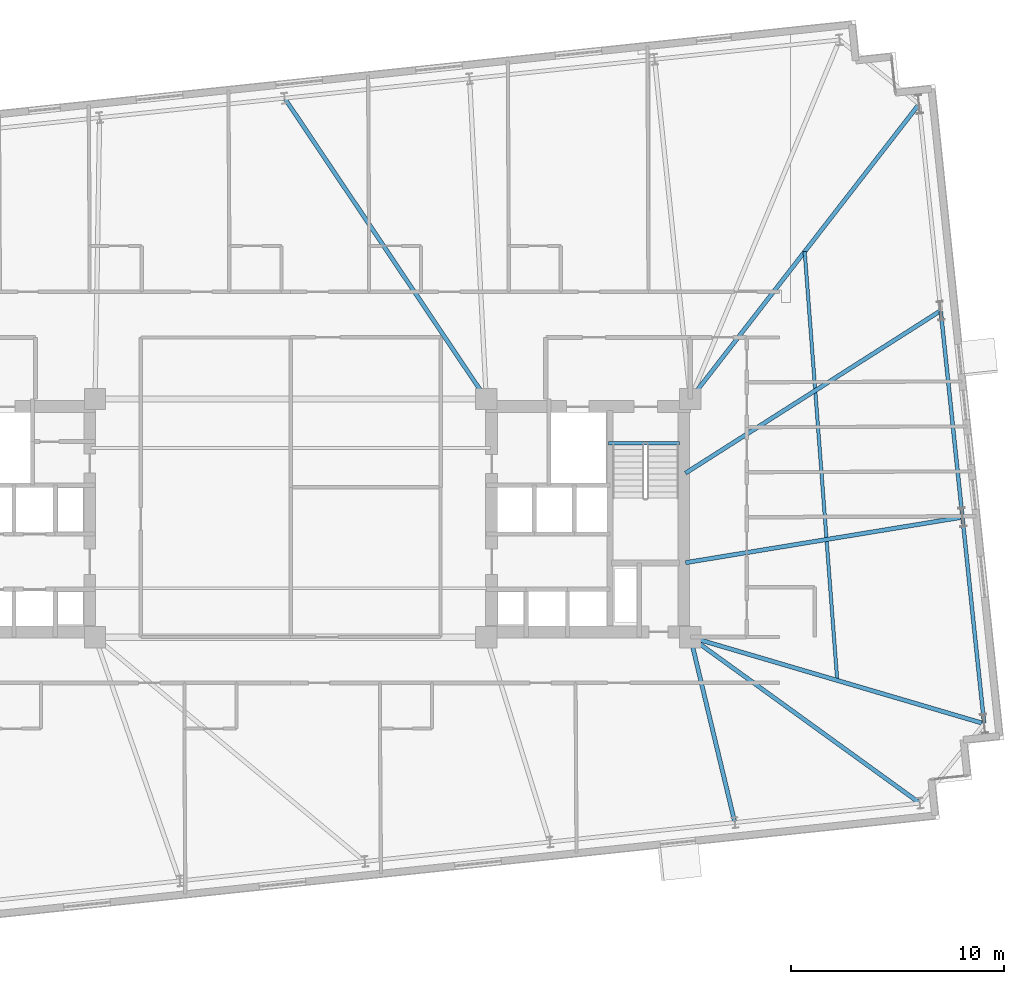
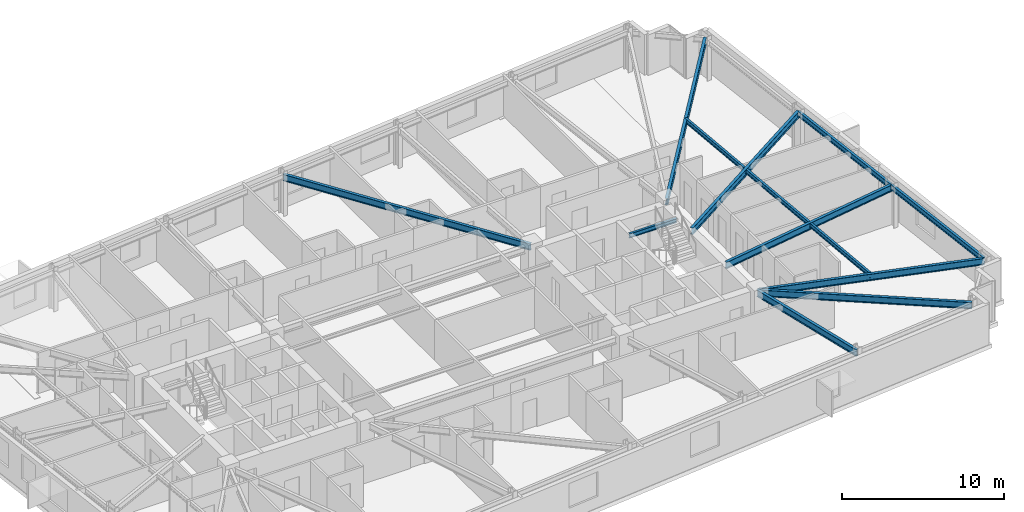
# One storey, part 7 of 19: 11 beams.
"""IFC4 building model written with IfcOpenShell, lengths in metres."""

from ifc_helpers import new_model, si_unit, direction, frame, origin, origin_2d, place, context, subcontext, project, spatial, i_section, extrude, material, material_profile, profile_set, type_object, element, save


model = new_model("IFC4")

# Units and contexts
model_context = context("Model", 3, precision=1e-05, world=origin(), true_north=direction((0.0, 1.0)))
body_context = subcontext(model_context, "Body", "Model", "MODEL_VIEW")
ifc_project = project(units=[si_unit("LENGTHUNIT", "METRE"), si_unit("AREAUNIT", "SQUARE_METRE"), si_unit("VOLUMEUNIT", "CUBIC_METRE"), si_unit("PLANEANGLEUNIT", "RADIAN"), si_unit("MASSUNIT", "GRAM", prefix="KILO")], contexts=[model_context])

# Site, building, storey
site_placement = place(None, origin())
site = spatial("IfcSite", under=ifc_project, at=site_placement, CompositionType="ELEMENT")
building_placement = place(site_placement, origin())
building = spatial("IfcBuilding", under=site, at=building_placement, Name="Qobustan Lattice House", CompositionType="ELEMENT")
storey_placement = place(building_placement, frame((0.0, 0.0, 82.35009765625)))
storey = spatial("IfcBuildingStorey", under=building, at=storey_placement, Name="L22", CompositionType="ELEMENT", Elevation=82.35009765625)

# Beams
ifc_material_1 = material(Name="Steel S355", Category="steel")
ifc_material_profile_1 = material_profile(ifc_material_1, i_section(OverallWidth=0.199951171875, OverallDepth=0.5, WebThickness=0.01025390625, FlangeThickness=0.01611328125, FilletRadius=0.02099609375, at=origin_2d()), Name="IPE500")
ifc_profile_set_1 = profile_set([ifc_material_profile_1], Name="Steel S355")
beam_type_1 = type_object("IfcBeamType", Name="BM-FLG-IPE500", PredefinedType="USERDEFINED", material=ifc_profile_set_1)
beam_1_placement = place(storey_placement, frame((20.885009765625, -14.297607421875, 2.794921875), z_axis=(-0.233107910855, 0.97245087377, 0.0), x_axis=(-0.97245087377, -0.233107910855, 0.0)))
element("IfcBeam", 1, at=beam_1_placement, inside=storey, type_object=beam_type_1, Name="L22 primary floor girder RAD-S6", ObjectType="GIRDER", PredefinedType="USERDEFINED", context=body_context, shape_type="SweptSolid", body=[
    extrude(i_section(OverallWidth=0.199951171875, OverallDepth=0.5, WebThickness=0.01025390625, FlangeThickness=0.01611328125, FilletRadius=0.02099609375, at=origin_2d()), origin(), (0.0, 0.0, 1.0), 8.9189453125),
])
beam_2_placement = place(storey_placement, frame((29.572509765625, -13.392578125, 2.794921875), z_axis=(-0.81023705091, 0.586102313024, 0.0), x_axis=(-0.586102313024, -0.81023705091, 0.0)))
element("IfcBeam", 2, at=beam_2_placement, inside=storey, type_object=beam_type_1, Name="L22 primary floor girder RAD-S7E", ObjectType="GIRDER", PredefinedType="USERDEFINED", context=body_context, shape_type="SweptSolid", body=[
    extrude(i_section(OverallWidth=0.199951171875, OverallDepth=0.5, WebThickness=0.01025390625, FlangeThickness=0.01611328125, FilletRadius=0.02099609375, at=origin_2d()), origin(), (0.0, 0.0, 1.0), 13.2705078125),
])
beam_3_placement = place(storey_placement, frame((-0.272705078125, 19.730224609375, 2.794921875), z_axis=(0.556837669082, -0.830621339896, 0.0), x_axis=(0.830621339896, 0.556837669082, 0.0)))
element("IfcBeam", 3, at=beam_3_placement, inside=storey, type_object=beam_type_1, Name="L22 primary floor girder RAD-N4", ObjectType="GIRDER", PredefinedType="USERDEFINED", context=body_context, shape_type="SweptSolid", body=[
    extrude(i_section(OverallWidth=0.199951171875, OverallDepth=0.5, WebThickness=0.01025390625, FlangeThickness=0.01611328125, FilletRadius=0.02099609375, at=origin_2d()), origin(), (0.0, 0.0, 1.0), 16.986572265625),
])
beam_4_placement = place(storey_placement, frame((29.541015625, 19.44921875, 2.794921875), z_axis=(-0.612860318028, -0.790191262029, 0.0), x_axis=(0.790191262029, -0.612860318028, 0.0)))
element("IfcBeam", 4, at=beam_4_placement, inside=storey, type_object=beam_type_1, Name="L22 primary floor girder RAD-E4", ObjectType="GIRDER", PredefinedType="USERDEFINED", context=body_context, shape_type="SweptSolid", body=[
    extrude(i_section(OverallWidth=0.199951171875, OverallDepth=0.5, WebThickness=0.01025390625, FlangeThickness=0.01611328125, FilletRadius=0.02099609375, at=origin_2d()), origin(), (0.0, 0.0, 1.0), 17.501220703125),
])
beam_5_placement = place(storey_placement, frame((30.555908203125, 9.742431640625, 2.794921875), z_axis=(-0.843584351199, -0.536996687525, 0.0), x_axis=(0.536996687525, -0.843584351199, 0.0)))
element("IfcBeam", 5, at=beam_5_placement, inside=storey, type_object=beam_type_1, Name="L22 primary floor girder RAD-E3", ObjectType="GIRDER", PredefinedType="USERDEFINED", context=body_context, shape_type="SweptSolid", body=[
    extrude(i_section(OverallWidth=0.199951171875, OverallDepth=0.5, WebThickness=0.01025390625, FlangeThickness=0.01611328125, FilletRadius=0.02099609375, at=origin_2d()), origin(), (0.0, 0.0, 1.0), 14.20703125),
])
beam_6_placement = place(storey_placement, frame((31.5732421875, 0.03857421875, 2.794921875), z_axis=(-0.986783828506, -0.162042203761, 0.0), x_axis=(0.162042203761, -0.986783828506, 0.0)))
element("IfcBeam", 6, at=beam_6_placement, inside=storey, type_object=beam_type_1, Name="L22 primary floor girder RAD-E2", ObjectType="GIRDER", PredefinedType="USERDEFINED", context=body_context, shape_type="SweptSolid", body=[
    extrude(i_section(OverallWidth=0.199951171875, OverallDepth=0.5, WebThickness=0.01025390625, FlangeThickness=0.01611328125, FilletRadius=0.02099609375, at=origin_2d()), origin(), (0.0, 0.0, 1.0), 13.172607421875),
])
beam_7_placement = place(storey_placement, frame((32.594970703125, -9.663330078125, 2.794921875), z_axis=(-0.959254941513, 0.282541956499, 0.0), x_axis=(-0.282541956499, -0.959254941513, 0.0)))
element("IfcBeam", 7, at=beam_7_placement, inside=storey, type_object=beam_type_1, Name="L22 primary floor girder RAD-E1", ObjectType="GIRDER", PredefinedType="USERDEFINED", context=body_context, shape_type="SweptSolid", body=[
    extrude(i_section(OverallWidth=0.199951171875, OverallDepth=0.5, WebThickness=0.01025390625, FlangeThickness=0.01611328125, FilletRadius=0.02099609375, at=origin_2d()), origin(), (0.0, 0.0, 1.0), 14.35595703125),
])
ifc_material_2 = material(Name="Steel S355", Category="steel")
ifc_material_profile_2 = material_profile(ifc_material_2, i_section(OverallWidth=0.159912109375, OverallDepth=0.330078125, WebThickness=0.007568359375, FlangeThickness=0.011474609375, FilletRadius=0.01806640625, at=origin_2d()), Name="IPE330")
ifc_profile_set_2 = profile_set([ifc_material_profile_2], Name="Steel S355")
beam_type_2 = type_object("IfcBeamType", Name="BM-SEC-IPE330", PredefinedType="BEAM", material=ifc_profile_set_2)
beam_8_placement = place(storey_placement, frame((24.177978515625, 12.534423828125, 2.8798828125), z_axis=(0.075712576466, -0.997129683524, 0.0), x_axis=(0.997129683524, 0.075712576466, 0.0)))
element("IfcBeam", 8, at=beam_8_placement, inside=storey, type_object=beam_type_2, Name="L22 east wing secondary beam", PredefinedType="BEAM", context=body_context, shape_type="SweptSolid", body=[
    extrude(i_section(OverallWidth=0.159912109375, OverallDepth=0.330078125, WebThickness=0.007568359375, FlangeThickness=0.011474609375, FilletRadius=0.01806640625, at=origin_2d()), origin(), (0.0, 0.0, 1.0), 20.227783203125),
])
ifc_material_3 = material(Name="Steel S355", Category="steel")
ifc_material_profile_3 = material_profile(ifc_material_3, i_section(OverallWidth=0.159912109375, OverallDepth=0.330078125, WebThickness=0.007568359375, FlangeThickness=0.011474609375, FilletRadius=0.01806640625, at=origin_2d()), Name="IPE330")
ifc_profile_set_3 = profile_set([ifc_material_profile_3], Name="Steel S355")
beam_type_3 = type_object("IfcBeamType", Name="BM-SPD-IPE330", PredefinedType="SPANDREL", material=ifc_profile_set_3)
beam_9_placement = place(storey_placement, frame((14.949951171875, 3.52001953125, 2.8798828125), z_axis=(1.0, 0.0, 0.0), x_axis=(0.0, 1.0, 0.0)))
element("IfcBeam", 9, at=beam_9_placement, inside=storey, type_object=beam_type_3, Name="L22 east stair landing trimmer beam", PredefinedType="SPANDREL", context=body_context, shape_type="SweptSolid", body=[
    extrude(i_section(OverallWidth=0.159912109375, OverallDepth=0.330078125, WebThickness=0.007568359375, FlangeThickness=0.011474609375, FilletRadius=0.01806640625, at=origin_2d()), origin(), (0.0, 0.0, 1.0), 3.35009765625),
])
ifc_material_4 = material(Name="Steel S355", Category="steel")
ifc_material_profile_4 = material_profile(ifc_material_4, i_section(OverallWidth=0.179931640625, OverallDepth=0.39990234375, WebThickness=0.008544921875, FlangeThickness=0.013427734375, FilletRadius=0.02099609375, at=origin_2d()), Name="IPE400")
ifc_profile_set_4 = profile_set([ifc_material_profile_4], Name="Steel S355")
beam_type_4 = type_object("IfcBeamType", Name="BM-SPD-IPE400", PredefinedType="SPANDREL", material=ifc_profile_set_4)
for number, where, z_axis, x_axis, name in (
    (10, (32.6162109375, -9.6455078125, 2.844970703125), (-0.104525214252, 0.994522236848, 0.0), (-0.994522236848, -0.104525214252, 0.0), "L22 perimeter spandrel E1-E2"),
    (11, (31.595458984375, 0.067626953125, 2.844970703125), (-0.10455006589, 0.994519624604, 0.0), (-0.994519624604, -0.10455006589, 0.0), "L22 perimeter spandrel E2-E3"),
):
    element("IfcBeam", number, at=place(storey_placement, frame(where, z_axis=z_axis, x_axis=x_axis)), inside=storey, type_object=beam_type_4, Name=name, PredefinedType="SPANDREL", context=body_context, shape_type="SweptSolid", body=[
        extrude(i_section(OverallWidth=0.179931640625, OverallDepth=0.39990234375, WebThickness=0.008544921875, FlangeThickness=0.013427734375, FilletRadius=0.02099609375, at=origin_2d()), origin(), (0.0, 0.0, 1.0), 9.716552734375),
    ])

save(model, "model.ifc")
